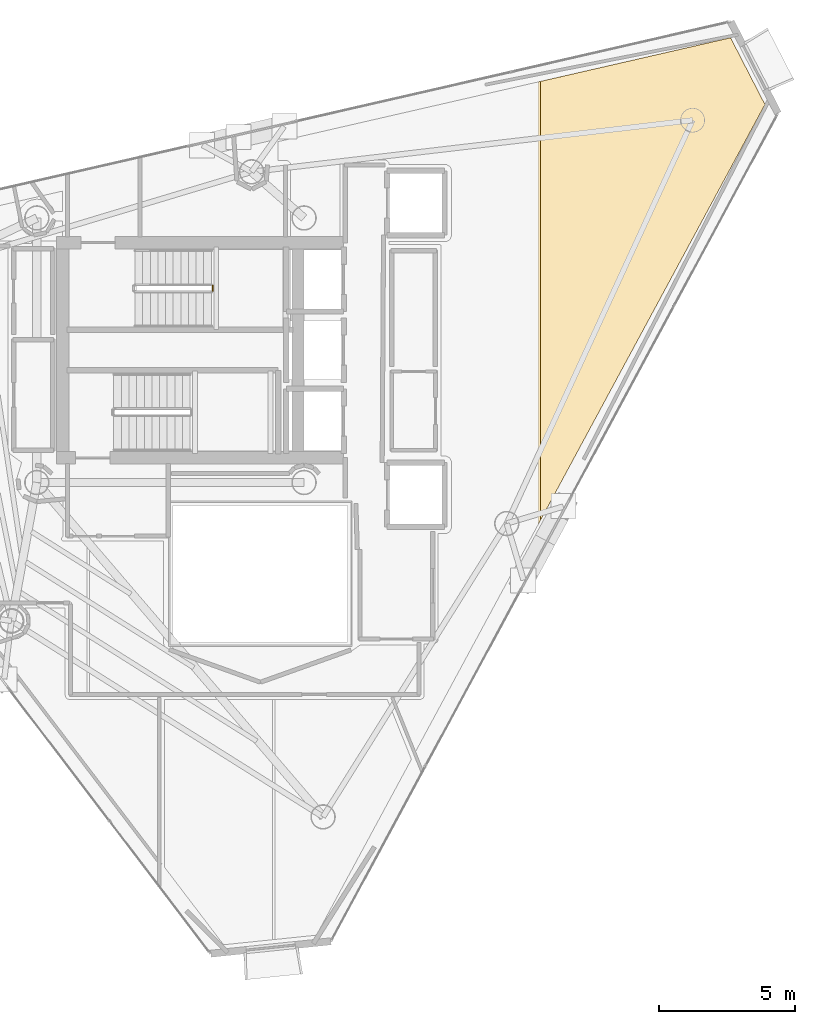
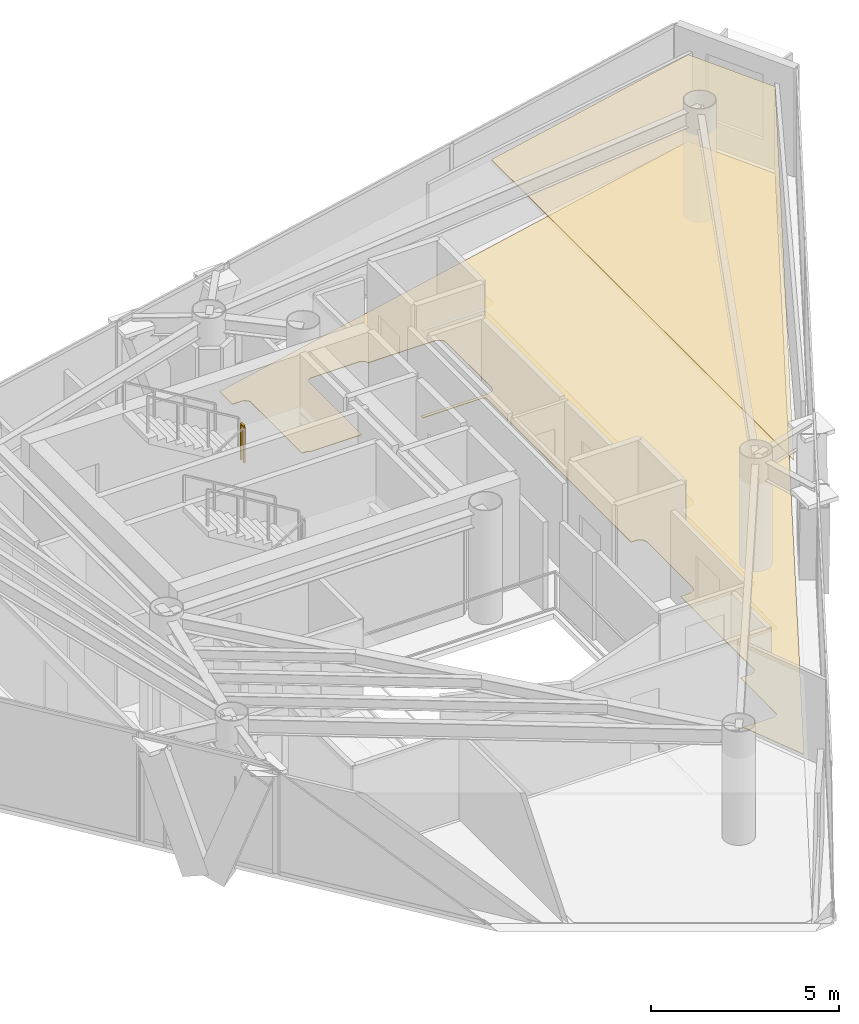
# One storey, part 24 of 24: 2 coverings, 1 railing.
"""IFC4 building model written with IfcOpenShell, lengths in metres."""

from ifc_helpers import new_model, si_unit, direction, frame, origin, origin_2d, place, context, subcontext, project, spatial, polyline, rectangle, outline, extrude, material, layer, layer_set, type_object, element, save


model = new_model("IFC4")

# Units and contexts
model_context = context("Model", 3, precision=1e-05, world=origin(), true_north=direction((0.0, 1.0)))
body_context = subcontext(model_context, "Body", "Model", "MODEL_VIEW")
ifc_project = project(units=[si_unit("LENGTHUNIT", "METRE"), si_unit("AREAUNIT", "SQUARE_METRE"), si_unit("VOLUMEUNIT", "CUBIC_METRE"), si_unit("PLANEANGLEUNIT", "RADIAN"), si_unit("MASSUNIT", "GRAM", prefix="KILO")], contexts=[model_context])

# Site, building, storey
site_placement = place(None, origin())
site = spatial("IfcSite", under=ifc_project, at=site_placement, CompositionType="ELEMENT")
building_placement = place(site_placement, origin())
building = spatial("IfcBuilding", under=site, at=building_placement, Name="Qianvela Tower", CompositionType="ELEMENT")
storey_placement = place(building_placement, frame((0.0, 0.0, 306.5)))
storey = spatial("IfcBuildingStorey", under=building, at=storey_placement, Name="L79", CompositionType="ELEMENT", Elevation=306.5)

# Coverings
ifc_material_1 = material(Name="Perforated Mineral Acoustic Ceiling Tile")
ifc_layer_1 = layer(ifc_material_1, 0.02490234375)
ifc_layer_set_1 = layer_set([ifc_layer_1], Name="Perforated Mineral Acoustic Ceiling Tile")
covering_type_1 = type_object("IfcCoveringType", Name="COV-CEIL-ACOUSTIC-25", PredefinedType="CEILING", material=ifc_layer_set_1)
covering_1_placement = place(storey_placement, frame((0.0, 0.0, 2.81494140625)))
element("IfcCovering", 1, at=covering_1_placement, inside=storey, type_object=covering_type_1, Name="L79 Acoustic Ceiling Bay 2 Tutorial Breakout Seminar L79-02", PredefinedType="CEILING", context=body_context, shape_type="SweptSolid", body=[
    extrude(outline(polyline([(54.0400390625, 40.158447265625), (55.301025390625, 37.7109375), (47.068115234375, 22.46337890625), (47.068115234375, 38.55810546875), (54.0400390625, 40.158447265625)])), origin(), (0.0, 0.0, 1.0), 0.025146484375),
])
ifc_material_2 = material(Name="Engineered Acoustic Oak Timber Flooring", Category="wood")
ifc_layer_2 = layer(ifc_material_2, 0.02001953125)
ifc_layer_set_2 = layer_set([ifc_layer_2], Name="Engineered Acoustic Oak Timber Flooring")
covering_type_2 = type_object("IfcCoveringType", Name="COV-FLOOR-OAK-20", PredefinedType="FLOORING", material=ifc_layer_set_2)
covering_2_placement = place(storey_placement, origin())
element("IfcCovering", 2, at=covering_2_placement, inside=storey, type_object=covering_type_2, Name="L79 Finish Flooring Tutorial Breakout Seminar L79-02", PredefinedType="FLOORING", context=body_context, shape_type="SweptSolid", body=[
    extrude(outline(polyline([(43.423828125, 24.8193359375), (43.423828125, 24.8193359375), (43.426513671875, 24.826904296875), (43.428466796875, 24.83447265625), (43.4296875, 24.84228515625), (43.429931640625, 24.85009765625), (43.429931640625, 32.5), (43.4296875, 32.5078125), (43.428466796875, 32.515625), (43.426513671875, 32.523193359375), (43.423828125, 32.530517578125), (43.420654296875, 32.53759765625), (43.41650390625, 32.54443359375), (43.411865234375, 32.55078125), (43.406494140625, 32.556640625), (43.40087890625, 32.561767578125), (43.394287109375, 32.56640625), (43.3876953125, 32.570556640625), (43.380615234375, 32.573974609375), (43.373291015625, 32.57666015625), (43.365478515625, 32.57861328125), (43.35791015625, 32.57958984375), (43.35009765625, 32.580078125), (41.52001953125, 32.580078125), (41.52001953125, 32.679931640625), (43.580078125, 32.679931640625), (43.587158203125, 32.680419921875), (43.593994140625, 32.68115234375), (43.60107421875, 32.682861328125), (43.607666015625, 32.684814453125), (43.6142578125, 32.687744140625), (43.722412109375, 32.739013671875), (43.729248046875, 32.74267578125), (43.73583984375, 32.746826171875), (43.741943359375, 32.751953125), (43.74755859375, 32.757568359375), (43.75244140625, 32.763427734375), (43.7568359375, 32.77001953125), (43.760498046875, 32.777099609375), (43.763427734375, 32.7841796875), (43.79541015625, 32.873046875), (43.7978515625, 32.8818359375), (43.799560546875, 32.890869140625), (43.800048828125, 32.89990234375), (43.800048828125, 35.300048828125), (43.799560546875, 35.307861328125), (43.798583984375, 35.315673828125), (43.796630859375, 35.3232421875), (43.77294921875, 35.40087890625), (43.770263671875, 35.408447265625), (43.76708984375, 35.41552734375), (43.762939453125, 35.422119140625), (43.75830078125, 35.428466796875), (43.7529296875, 35.434326171875), (43.747314453125, 35.439697265625), (43.740966796875, 35.4443359375), (43.734130859375, 35.4482421875), (43.61767578125, 35.510498046875), (43.610595703125, 35.513916015625), (43.603271484375, 35.5166015625), (43.595703125, 35.5185546875), (43.587890625, 35.51953125), (43.580078125, 35.52001953125), (41.515625, 35.52001953125), (41.513916015625, 35.554931640625), (41.512939453125, 35.562744140625), (41.511474609375, 35.5703125), (41.509033203125, 35.577880859375), (41.506103515625, 35.585205078125), (41.50244140625, 35.591796875), (41.498046875, 35.598388671875), (41.4931640625, 35.6044921875), (41.487548828125, 35.60986328125), (41.481689453125, 35.614990234375), (41.41552734375, 35.663818359375), (41.409423828125, 35.66796875), (41.40283203125, 35.67138671875), (41.396240234375, 35.67431640625), (41.38916015625, 35.6767578125), (41.382080078125, 35.67822265625), (41.374755859375, 35.67919921875), (41.367431640625, 35.6796875), (39.841796875, 35.670654296875), (39.83349609375, 35.670166015625), (39.825439453125, 35.668701171875), (39.817626953125, 35.666748046875), (39.81005859375, 35.663818359375), (39.802490234375, 35.659912109375), (39.795654296875, 35.655517578125), (39.789306640625, 35.650390625), (39.783447265625, 35.644775390625), (39.7783203125, 35.638427734375), (39.773681640625, 35.631591796875), (39.7314453125, 35.56103515625), (39.727294921875, 35.553466796875), (39.72412109375, 35.54541015625), (39.721923828125, 35.537109375), (39.720458984375, 35.528564453125), (39.719970703125, 35.52001953125), (39.719970703125, 32.719970703125), (38.129150390625, 32.719970703125), (38.068115234375, 32.756103515625), (38.060791015625, 32.760009765625), (38.052978515625, 32.76318359375), (38.044921875, 32.765380859375), (38.03662109375, 32.766845703125), (38.0283203125, 32.767333984375), (37.907470703125, 32.768798828125), (37.908447265625, 35.515625), (37.908203125, 35.52294921875), (37.906982421875, 35.5302734375), (37.905517578125, 35.53759765625), (37.903076171875, 35.544677734375), (37.89990234375, 35.551513671875), (37.896484375, 35.557861328125), (37.89208984375, 35.56396484375), (37.887451171875, 35.569580078125), (37.882080078125, 35.574951171875), (37.8115234375, 35.638916015625), (37.80517578125, 35.644287109375), (37.798095703125, 35.648681640625), (37.79052734375, 35.652587890625), (37.78271484375, 35.65576171875), (37.774658203125, 35.65771484375), (37.766357421875, 35.6591796875), (37.7578125, 35.65966796875), (37.44189453125, 35.659912109375), (37.44189453125, 36.3486328125), (54.0400390625, 40.158447265625), (55.301025390625, 37.7109375), (42.48779296875, 13.980712890625), (41.71630859375, 15.889892578125), (42.64990234375, 15.889892578125), (42.65869140625, 15.890380859375), (42.66748046875, 15.891845703125), (42.676025390625, 15.894287109375), (42.68408203125, 15.897705078125), (42.74609375, 15.927001953125), (42.753173828125, 15.930908203125), (42.760009765625, 15.935302734375), (42.76611328125, 15.940673828125), (42.77197265625, 15.9462890625), (42.777099609375, 15.952880859375), (42.781494140625, 15.959716796875), (42.784912109375, 15.967041015625), (42.787841796875, 15.974609375), (42.7900390625, 15.982421875), (42.79150390625, 15.990478515625), (42.791748046875, 15.99853515625), (42.806640625, 17.920166015625), (43.157958984375, 17.92041015625), (43.166259765625, 17.9208984375), (43.174560546875, 17.922119140625), (43.1826171875, 17.92431640625), (43.1904296875, 17.927490234375), (43.197998046875, 17.93115234375), (43.205078125, 17.935791015625), (43.211669921875, 17.941162109375), (43.2822265625, 18.005126953125), (43.2880859375, 18.010986328125), (43.293212890625, 18.017578125), (43.2978515625, 18.0244140625), (43.301513671875, 18.031982421875), (43.3046875, 18.039794921875), (43.306640625, 18.0478515625), (43.30810546875, 18.055908203125), (43.30859375, 18.064453125), (43.309326171875, 21.980712890625), (43.60791015625, 21.982666015625), (43.615478515625, 21.983154296875), (43.623291015625, 21.984375), (43.630859375, 21.986083984375), (43.637939453125, 21.98876953125), (43.64501953125, 21.9921875), (43.716796875, 22.030517578125), (43.723388671875, 22.034423828125), (43.729736328125, 22.039306640625), (43.735595703125, 22.04443359375), (43.74072265625, 22.05029296875), (43.74560546875, 22.056640625), (43.74951171875, 22.063232421875), (43.787841796875, 22.135009765625), (43.791259765625, 22.14208984375), (43.7939453125, 22.1494140625), (43.7958984375, 22.156982421875), (43.796875, 22.164794921875), (43.79736328125, 22.172607421875), (43.79931640625, 24.61376953125), (43.799072265625, 24.62060546875), (43.798095703125, 24.627685546875), (43.79638671875, 24.634765625), (43.79443359375, 24.641357421875), (43.79150390625, 24.64794921875), (43.751220703125, 24.733154296875), (43.74755859375, 24.739990234375), (43.743408203125, 24.74658203125), (43.73828125, 24.752685546875), (43.732666015625, 24.75830078125), (43.726806640625, 24.76318359375), (43.72021484375, 24.767578125), (43.713134765625, 24.771240234375), (43.6279296875, 24.8115234375), (43.619873046875, 24.81494140625), (43.611328125, 24.8173828125), (43.6025390625, 24.81884765625), (43.59375, 24.8193359375), (43.423828125, 24.8193359375)])), origin(), (0.0, 0.0, 1.0), 0.02001953125),
])

# Railing
ifc_material_3 = material(Name="Painted Tubular Steel Q355B", Category="steel")
railing_type = type_object("IfcRailingType", Name="RL-STAIR-GUARD-1200", PredefinedType="GUARDRAIL", material=ifc_material_3)
railing_placement = place(storey_placement, frame((35.050048828125, 30.889892578125, 1.85009765625)))
element("IfcRailing", 3, at=railing_placement, inside=storey, type_object=railing_type, Name="L79 ST-1 stair guard 2", PredefinedType="GUARDRAIL", context=body_context, shape_type="SweptSolid", body=[
    extrude(rectangle(XDim=0.050048828125, YDim=0.0400390625, at=origin_2d()), frame((0.0, 0.0, 1.179931640625), z_axis=(0.0, 1.0, 0.0), x_axis=(-1.0, 0.0, 0.0)), (0.0, 0.0, 1.0), 0.16015625),
    extrude(rectangle(XDim=0.050048828125, YDim=0.050048828125, at=origin_2d()), origin(), (0.0, 0.0, 1.0), 1.159912109375),
    extrude(rectangle(XDim=0.050048828125, YDim=0.050048828125, at=origin_2d()), frame((0.0, 0.16015625, 0.0)), (0.0, 0.0, 1.0), 1.159912109375),
])

save(model, "model.ifc")
